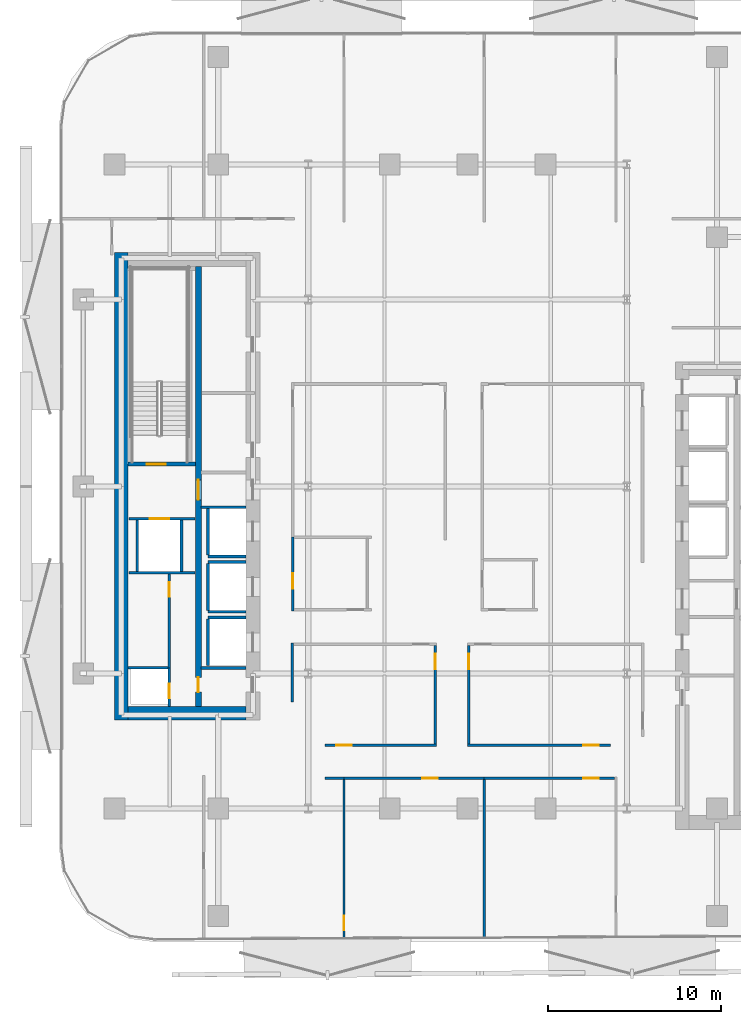
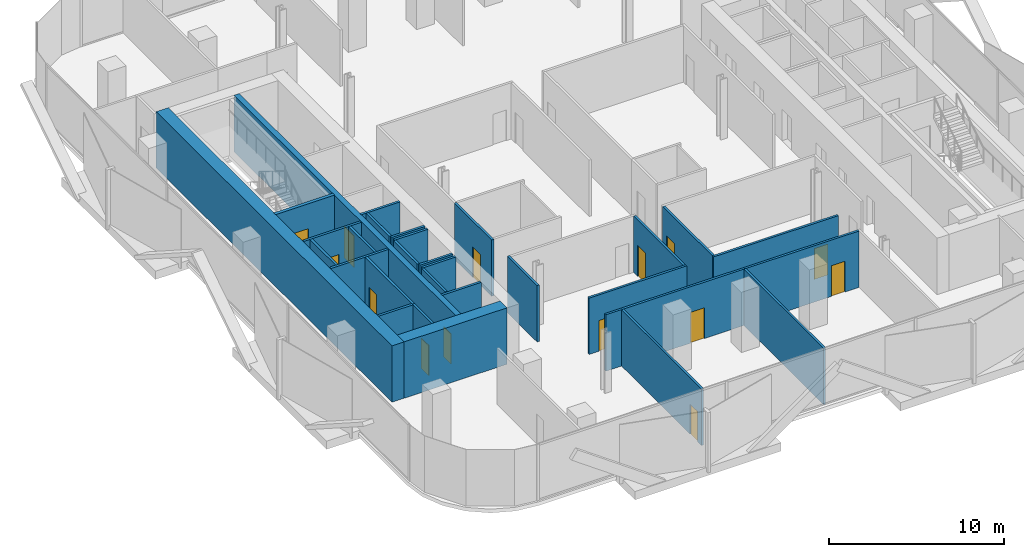
# One storey, part 3 of 16: 31 walls, 14 doors, 14 openings.
"""IFC4 building model written with IfcOpenShell, lengths in metres."""

from ifc_helpers import new_model, si_unit, direction, frame, frame_2d, origin, place, context, subcontext, project, spatial, rectangle, extrude, material, layer, layer_set, type_object, element, fill, save


model = new_model("IFC4")

# Units and contexts
model_context = context("Model", 3, precision=1e-05, world=origin(), true_north=direction((0.0, 1.0)))
body_context = subcontext(model_context, "Body", "Model", "MODEL_VIEW")
ifc_project = project(units=[si_unit("LENGTHUNIT", "METRE"), si_unit("AREAUNIT", "SQUARE_METRE"), si_unit("VOLUMEUNIT", "CUBIC_METRE"), si_unit("PLANEANGLEUNIT", "RADIAN"), si_unit("MASSUNIT", "GRAM", prefix="KILO")], contexts=[model_context])

# Site, building, storey
site_placement = place(None, origin())
site = spatial("IfcSite", under=ifc_project, at=site_placement, CompositionType="ELEMENT")
building_placement = place(site_placement, origin())
building = spatial("IfcBuilding", under=site, at=building_placement, Name="Khairoan Windgate Tower", CompositionType="ELEMENT")
storey_placement = place(building_placement, frame((0.0, 0.0, 139.39990234375)))
storey = spatial("IfcBuildingStorey", under=building, at=storey_placement, Name="L32", CompositionType="ELEMENT", Elevation=139.39990234375)

# Walls
ifc_material_1 = material(Name="Concrete C40/50", Category="concrete")
ifc_layer_1 = layer(ifc_material_1, 0.159912109375, Name="Concrete C40/50")
ifc_layer_set_1 = layer_set([ifc_layer_1], Name="Concrete C40/50")
wall_type_1 = type_object("IfcWallType", Name="Core and Hoistway Enclosure Wall", PredefinedType="STANDARD", material=ifc_layer_set_1)
wall_1_placement = place(storey_placement, frame((-14.989990234375, -4.0400390625, 0.0), z_axis=(0.0, 0.0, 1.0), x_axis=(1.0, 0.0, 0.0)))
element("IfcWall", 1, at=wall_1_placement, inside=storey, type_object=wall_type_1, Name="L32 Lift PL4 Hoistway Divider S", PredefinedType="STANDARD", context=body_context, shape_type="SweptSolid", body=[
    extrude(rectangle(XDim=2.18994140625, YDim=0.159912109375, at=frame_2d((1.094970703125, 0.0))), origin(), (0.0, 0.0, 1.0), 3.940185546875),
])
wall_2_placement = place(storey_placement, frame((-14.989990234375, -3.949951171875, 0.0), z_axis=(0.0, 0.0, 1.0), x_axis=(0.0, 1.0, 0.0)))
element("IfcWall", 2, at=wall_2_placement, inside=storey, type_object=wall_type_1, Name="L32 Lift PL4 Hoistway Back Wall", PredefinedType="STANDARD", context=body_context, shape_type="SweptSolid", body=[
    extrude(rectangle(XDim=2.699951171875, YDim=0.159912109375, at=frame_2d((1.35009765625, 0.0))), origin(), (0.0, 0.0, 1.0), 3.940185546875),
])
for number, where, z_axis, x_axis, name in (
    (3, (-14.989990234375, -7.239990234375, 0.0), (0.0, 0.0, 1.0), (1.0, 0.0, 0.0), "L32 Lift PL5 Hoistway Divider S"),
    (4, (-14.989990234375, -4.360107421875, 0.0), (0.0, 0.0, 1.0), (1.0, 0.0, 0.0), "L32 Lift PL5 Hoistway Divider N"),
):
    element("IfcWall", number, at=place(storey_placement, frame(where, z_axis=z_axis, x_axis=x_axis)), inside=storey, type_object=wall_type_1, Name=name, PredefinedType="STANDARD", context=body_context, shape_type="SweptSolid", body=[
        extrude(rectangle(XDim=2.18994140625, YDim=0.159912109375, at=frame_2d((1.094970703125, 0.0))), origin(), (0.0, 0.0, 1.0), 3.940185546875),
    ])
wall_3_placement = place(storey_placement, frame((-14.989990234375, -7.14990234375, 0.0), z_axis=(0.0, 0.0, 1.0), x_axis=(0.0, 1.0, 0.0)))
element("IfcWall", 5, at=wall_3_placement, inside=storey, type_object=wall_type_1, Name="L32 Lift PL5 Hoistway Back Wall", PredefinedType="STANDARD", context=body_context, shape_type="SweptSolid", body=[
    extrude(rectangle(XDim=2.699951171875, YDim=0.159912109375, at=frame_2d((1.35009765625, 0.0))), origin(), (0.0, 0.0, 1.0), 3.940185546875),
])
wall_4_placement = place(storey_placement, frame((-14.989990234375, -7.56005859375, 0.0), z_axis=(0.0, 0.0, 1.0), x_axis=(1.0, 0.0, 0.0)))
element("IfcWall", 6, at=wall_4_placement, inside=storey, type_object=wall_type_1, Name="L32 Lift PL6 Hoistway Divider N", PredefinedType="STANDARD", context=body_context, shape_type="SweptSolid", body=[
    extrude(rectangle(XDim=2.18994140625, YDim=0.159912109375, at=frame_2d((1.094970703125, 0.0))), origin(), (0.0, 0.0, 1.0), 3.940185546875),
])
wall_5_placement = place(storey_placement, frame((-14.989990234375, -10.35009765625, 0.0), z_axis=(0.0, 0.0, 1.0), x_axis=(0.0, 1.0, 0.0)))
element("IfcWall", 7, at=wall_5_placement, inside=storey, type_object=wall_type_1, Name="L32 Lift PL6 Hoistway Back Wall", PredefinedType="STANDARD", context=body_context, shape_type="SweptSolid", body=[
    extrude(rectangle(XDim=2.7001953125, YDim=0.159912109375, at=frame_2d((1.35009765625, 0.0))), origin(), (0.0, 0.0, 1.0), 3.940185546875),
])

# Wall, opening, door
wall_6_placement = place(storey_placement, frame((-19.550048828125, -1.860107421875, 0.0), z_axis=(0.0, 0.0, 1.0), x_axis=(1.0, 0.0, 0.0)))
wall_6 = element("IfcWall", 8, at=wall_6_placement, inside=storey, type_object=wall_type_1, Name="L32 Core Shaft Wall SW-FL2-L32", PredefinedType="STANDARD", context=body_context, shape_type="SweptSolid", body=[
    extrude(rectangle(XDim=3.800048828125, YDim=0.159912109375, at=frame_2d((1.89990234375, 0.0))), origin(), (0.0, 0.0, 1.0), 3.940185546875),
])
opening_1_placement = place(wall_6_placement, frame((1.179931640625, 0.0, 0.0)))
opening_1 = element("IfcOpeningElement", 9, at=opening_1_placement, cuts=wall_6, Name="Opening LD-FL", PredefinedType="OPENING", context=body_context, shape_type="SweptSolid", body=[
    extrude(rectangle(XDim=1.14990234375, YDim=2.199951171875, at=frame_2d((0.574951171875, 1.10009765625))), frame((0.0, 0.08984375, 0.0), z_axis=(0.0, -1.0, 0.0), x_axis=(1.0, 0.0, 0.0)), (0.0, 0.0, 1.0), 0.179931640625),
])
ifc_material_2 = material(Name="Steel S355", Category="steel")
door_type_1 = type_object("IfcDoorType", Name="Firefighting Lift Sliding Landing Door LD-FL 1150x2200", OperationType="DOUBLE_DOOR_SLIDING", PredefinedType="DOOR", material=ifc_material_2)
door_1_placement = place(opening_1_placement, origin())
door_1 = element("IfcDoor", 10, at=door_1_placement, inside=storey, type_object=door_type_1, Name="L32 Firefighting Lift FL2 Landing Door", OperationType="DOUBLE_DOOR_SLIDING", OverallHeight=2.199951171875, OverallWidth=1.14990234375, PredefinedType="DOOR", context=body_context, shape_type="SweptSolid", body=[
    extrude(rectangle(XDim=1.14990234375, YDim=2.199951171875, at=frame_2d((0.574951171875, 1.10009765625))), frame((0.0, 0.02490234375, 0.0), z_axis=(0.0, -1.0, 0.0), x_axis=(1.0, 0.0, 0.0)), (0.0, 0.0, 1.0), 0.050048828125),
])
fill(opening_1, door_1)

# Walls
wall_7_placement = place(storey_placement, frame((-19.550048828125, -4.97998046875, 0.0), z_axis=(0.0, 0.0, 1.0), x_axis=(1.0, 0.0, 0.0)))
element("IfcWall", 11, at=wall_7_placement, inside=storey, type_object=wall_type_1, Name="L32 Core Shaft Wall SW-FL2B-L32", PredefinedType="STANDARD", context=body_context, shape_type="SweptSolid", body=[
    extrude(rectangle(XDim=3.800048828125, YDim=0.159912109375, at=frame_2d((1.89990234375, 0.0))), origin(), (0.0, 0.0, 1.0), 3.940185546875),
])
for number, where, z_axis, x_axis, name in (
    (12, (-19.080078125, -4.89990234375, 0.0), (0.0, 0.0, 1.0), (0.0, 1.0, 0.0), "L32 Core Shaft Wall SW-FL2W-L32"),
    (13, (-16.52001953125, -4.89990234375, 0.0), (0.0, 0.0, 1.0), (0.0, 1.0, 0.0), "L32 Core Shaft Wall SW-FL2E-L32"),
):
    element("IfcWall", number, at=place(storey_placement, frame(where, z_axis=z_axis, x_axis=x_axis)), inside=storey, type_object=wall_type_1, Name=name, PredefinedType="STANDARD", context=body_context, shape_type="SweptSolid", body=[
        extrude(rectangle(XDim=2.9599609375, YDim=0.159912109375, at=frame_2d((1.47998046875, 0.0))), origin(), (0.0, 0.0, 1.0), 3.940185546875),
    ])
for number, where, z_axis, x_axis, name in (
    (14, (-15.39990234375, -1.199951171875, 0.0), (0.0, 0.0, 1.0), (1.0, 0.0, 0.0), "L32 Core Shaft Wall SW-WV2-L32"),
    (15, (-15.39990234375, -10.47998046875, 0.0), (0.0, 0.0, 1.0), (1.0, 0.0, 0.0), "L32 Core Shaft Wall SW-WSV-L32"),
):
    element("IfcWall", number, at=place(storey_placement, frame(where, z_axis=z_axis, x_axis=x_axis)), inside=storey, type_object=wall_type_1, Name=name, PredefinedType="STANDARD", context=body_context, shape_type="SweptSolid", body=[
        extrude(rectangle(XDim=2.599853515625, YDim=0.159912109375, at=frame_2d((1.2998046875, 0.0))), origin(), (0.0, 0.0, 1.0), 3.940185546875),
    ])

# Wall, opening, door
ifc_material_3 = material(Name="Acoustic Fire-Rated Gypsum Partition", Category="gypsum")
ifc_layer_2 = layer(ifc_material_3, 0.139892578125, Name="Acoustic Fire-Rated Gypsum Partition")
ifc_layer_set_2 = layer_set([ifc_layer_2], Name="Acoustic Fire-Rated Gypsum Partition")
wall_type_2 = type_object("IfcWallType", Name="Inter-Tenancy Compartment Wall", PredefinedType="PARTITIONING", material=ifc_layer_set_2)
wall_8_placement = place(storey_placement, frame((-7.139892578125, -26.101318359375, 0.0), z_axis=(0.0, 0.0, 1.0), x_axis=(0.0, 1.0, 0.0)))
wall_8 = element("IfcWall", 16, at=wall_8_placement, inside=storey, type_object=wall_type_2, Name="L32 Interior Partition 048", PredefinedType="PARTITIONING", context=body_context, shape_type="SweptSolid", body=[
    extrude(rectangle(XDim=9.166259765625, YDim=0.139892578125, at=frame_2d((4.5830078125, 0.0))), origin(), (0.0, 0.0, 1.0), 3.940185546875),
])
opening_2_placement = place(wall_8_placement, frame((0.4599609375, 0.0, 0.0)))
opening_2 = element("IfcOpeningElement", 17, at=opening_2_placement, cuts=wall_8, Name="Opening FD-SRV", PredefinedType="OPENING", context=body_context, shape_type="SweptSolid", body=[
    extrude(rectangle(XDim=0.85009765625, YDim=2.10009765625, at=frame_2d((0.425048828125, 1.050048828125))), frame((0.0, 0.079833984375, 0.0), z_axis=(0.0, -1.0, 0.0), x_axis=(1.0, 0.0, 0.0)), (0.0, 0.0, 1.0), 0.159912109375),
])
ifc_material_4 = material(Name="Steel S355", Category="steel")
door_type_2 = type_object("IfcDoorType", Name="Core Service and Riser Fire Door FD-SRV 850x2100", OperationType="NOTDEFINED", PredefinedType="DOOR", material=ifc_material_4)
door_2_placement = place(opening_2_placement, origin())
door_2 = element("IfcDoor", 18, at=door_2_placement, inside=storey, type_object=door_type_2, Name="L32 L32-47-L32-48 Door", OperationType="SINGLE_SWING_RIGHT", OverallHeight=2.10009765625, OverallWidth=0.85009765625, PredefinedType="DOOR", context=body_context, shape_type="SweptSolid", body=[
    extrude(rectangle(XDim=0.85009765625, YDim=2.10009765625, at=frame_2d((0.425048828125, 1.050048828125))), frame((0.0, 0.02490234375, 0.0), z_axis=(0.0, -1.0, 0.0), x_axis=(1.0, 0.0, 0.0)), (0.0, 0.0, 1.0), 0.050048828125),
])
fill(opening_2, door_2)

# Wall
wall_9_placement = place(storey_placement, frame((0.951904296875, -26.06201171875, 0.0), z_axis=(0.0, 0.0, 1.0), x_axis=(0.0, 1.0, 0.0)))
element("IfcWall", 19, at=wall_9_placement, inside=storey, type_object=wall_type_2, Name="L32 Interior Partition 049", PredefinedType="PARTITIONING", context=body_context, shape_type="SweptSolid", body=[
    extrude(rectangle(XDim=9.126953125, YDim=0.139892578125, at=frame_2d((4.5634765625, 0.0))), origin(), (0.0, 0.0, 1.0), 3.940185546875),
])

# Wall, opening, door
ifc_material_5 = material(Name="Concrete C40/50", Category="concrete")
ifc_layer_3 = layer(ifc_material_5, 0.159912109375, Name="Concrete C40/50")
ifc_layer_set_3 = layer_set([ifc_layer_3], Name="Concrete C40/50")
wall_type_3 = type_object("IfcWallType", Name="Plant and Refuge Compartment Wall", PredefinedType="PARTITIONING", material=ifc_layer_set_3)
wall_10_placement = place(storey_placement, frame((-17.22998046875, -12.699951171875, 0.0), z_axis=(0.0, 0.0, 1.0), x_axis=(0.0, 1.0, 0.0)))
wall_10 = element("IfcWall", 20, at=wall_10_placement, inside=storey, type_object=wall_type_3, Name="L32 Interior Partition 001", PredefinedType="PARTITIONING", context=body_context, shape_type="SweptSolid", body=[
    extrude(rectangle(XDim=2.22998046875, YDim=0.159912109375, at=frame_2d((1.114990234375, 0.0))), origin(), (0.0, 0.0, 1.0), 3.940185546875),
])
opening_3_placement = place(wall_10_placement, frame((0.4599609375, 0.0, 0.0)))
opening_3 = element("IfcOpeningElement", 21, at=opening_3_placement, cuts=wall_10, Name="Opening FD-SRV", PredefinedType="OPENING", context=body_context, shape_type="SweptSolid", body=[
    extrude(rectangle(XDim=0.85009765625, YDim=2.10009765625, at=frame_2d((0.425048828125, 1.050048828125))), frame((0.0, 0.08984375, 0.0), z_axis=(0.0, -1.0, 0.0), x_axis=(1.0, 0.0, 0.0)), (0.0, 0.0, 1.0), 0.179931640625),
])
door_3_placement = place(opening_3_placement, origin())
door_3 = element("IfcDoor", 22, at=door_3_placement, inside=storey, type_object=door_type_2, Name="L32 L32-04-L32-05 Door", OperationType="SINGLE_SWING_LEFT", OverallHeight=2.10009765625, OverallWidth=0.85009765625, PredefinedType="DOOR", context=body_context, shape_type="SweptSolid", body=[
    extrude(rectangle(XDim=0.85009765625, YDim=2.10009765625, at=frame_2d((0.425048828125, 1.050048828125))), frame((0.0, 0.02490234375, 0.0), z_axis=(0.0, -1.0, 0.0), x_axis=(1.0, 0.0, 0.0)), (0.0, 0.0, 1.0), 0.050048828125),
])
fill(opening_3, door_3)

wall_11_placement = place(storey_placement, frame((-17.22998046875, -10.469970703125, 0.0), z_axis=(0.0, 0.0, 1.0), x_axis=(0.0, 1.0, 0.0)))
wall_11 = element("IfcWall", 23, at=wall_11_placement, inside=storey, type_object=wall_type_3, Name="L32 Interior Partition 002", PredefinedType="PARTITIONING", context=body_context, shape_type="SweptSolid", body=[
    extrude(rectangle(XDim=5.409912109375, YDim=0.159912109375, at=frame_2d((2.705078125, 0.0))), origin(), (0.0, 0.0, 1.0), 3.940185546875),
])
opening_4_placement = place(wall_11_placement, frame((4.10009765625, 0.0, 0.0)))
opening_4 = element("IfcOpeningElement", 24, at=opening_4_placement, cuts=wall_11, Name="Opening FD-SRV", PredefinedType="OPENING", context=body_context, shape_type="SweptSolid", body=[
    extrude(rectangle(XDim=0.85009765625, YDim=2.10009765625, at=frame_2d((0.425048828125, 1.050048828125))), frame((0.0, 0.08984375, 0.0), z_axis=(0.0, -1.0, 0.0), x_axis=(1.0, 0.0, 0.0)), (0.0, 0.0, 1.0), 0.179931640625),
])
door_4_placement = place(opening_4_placement, origin())
door_4 = element("IfcDoor", 25, at=door_4_placement, inside=storey, type_object=door_type_2, Name="L32 L32-04-L32-06 Door", OperationType="SINGLE_SWING_RIGHT", OverallHeight=2.10009765625, OverallWidth=0.85009765625, PredefinedType="DOOR", context=body_context, shape_type="SweptSolid", body=[
    extrude(rectangle(XDim=0.85009765625, YDim=2.10009765625, at=frame_2d((0.425048828125, 1.050048828125))), frame((0.0, 0.02490234375, 0.0), z_axis=(0.0, -1.0, 0.0), x_axis=(1.0, 0.0, 0.0)), (0.0, 0.0, 1.0), 0.050048828125),
])
fill(opening_4, door_4)

# Wall
wall_12_placement = place(storey_placement, frame((-19.60009765625, -10.469970703125, 0.0), z_axis=(0.0, 0.0, 1.0), x_axis=(1.0, 0.0, 0.0)))
element("IfcWall", 26, at=wall_12_placement, inside=storey, type_object=wall_type_3, Name="L32 Interior Partition 003", PredefinedType="PARTITIONING", context=body_context, shape_type="SweptSolid", body=[
    extrude(rectangle(XDim=2.2900390625, YDim=0.159912109375, at=frame_2d((1.14501953125, 0.0))), origin(), (0.0, 0.0, 1.0), 3.940185546875),
])

# Wall, opening, door
ifc_material_6 = material(Name="Acoustic Fire-Rated Gypsum Partition", Category="gypsum")
ifc_layer_4 = layer(ifc_material_6, 0.14990234375, Name="Acoustic Fire-Rated Gypsum Partition")
ifc_layer_set_4 = layer_set([ifc_layer_4], Name="Acoustic Fire-Rated Gypsum Partition")
wall_type_4 = type_object("IfcWallType", Name="Rated Corridor Partition Wall", PredefinedType="PARTITIONING", material=ifc_layer_set_4)
wall_13_placement = place(storey_placement, frame((-10.10009765625, -7.195068359375, 0.0), z_axis=(0.0, 0.0, 1.0), x_axis=(0.0, 1.0, 0.0)))
wall_13 = element("IfcWall", 27, at=wall_13_placement, inside=storey, type_object=wall_type_4, Name="L32 Interior Partition 012", PredefinedType="PARTITIONING", context=body_context, shape_type="SweptSolid", body=[
    extrude(rectangle(XDim=4.275146484375, YDim=0.14990234375, at=frame_2d((2.1376953125, 0.0))), origin(), (0.0, 0.0, 1.0), 3.940185546875),
])
opening_5_placement = place(wall_13_placement, frame((1.2783203125, 0.0, 0.0)))
opening_5 = element("IfcOpeningElement", 28, at=opening_5_placement, cuts=wall_13, Name="Opening FD-ENT", PredefinedType="OPENING", context=body_context, shape_type="SweptSolid", body=[
    extrude(rectangle(XDim=0.89990234375, YDim=2.14990234375, at=frame_2d((0.449951171875, 1.074951171875))), frame((0.0, 0.0849609375, 0.0), z_axis=(0.0, -1.0, 0.0), x_axis=(1.0, 0.0, 0.0)), (0.0, 0.0, 1.0), 0.169921875),
])
ifc_material_7 = material(Name="Timber Fire-Rated Core", Category="wood")
door_type_3 = type_object("IfcDoorType", Name="Unit and Office Fire Entrance Door FD-ENT 900x2150", OperationType="NOTDEFINED", PredefinedType="DOOR", material=ifc_material_7)
door_5_placement = place(opening_5_placement, origin())
door_5 = element("IfcDoor", 29, at=door_5_placement, inside=storey, type_object=door_type_3, Name="L32 L32-28-L32-54 Door", OperationType="SINGLE_SWING_LEFT", OverallHeight=2.14990234375, OverallWidth=0.89990234375, PredefinedType="DOOR", context=body_context, shape_type="SweptSolid", body=[
    extrude(rectangle(XDim=0.89990234375, YDim=2.14990234375, at=frame_2d((0.449951171875, 1.074951171875))), frame((0.0, 0.02490234375, 0.0), z_axis=(0.0, -1.0, 0.0), x_axis=(1.0, 0.0, 0.0)), (0.0, 0.0, 1.0), 0.050048828125),
])
fill(opening_5, door_5)

# Walls
wall_14_placement = place(storey_placement, frame((-10.125, -12.43994140625, 0.0), z_axis=(0.0, 0.0, 1.0), x_axis=(0.0, 1.0, 0.0)))
element("IfcWall", 30, at=wall_14_placement, inside=storey, type_object=wall_type_4, Name="L32 Interior Partition 014", PredefinedType="PARTITIONING", context=body_context, shape_type="SweptSolid", body=[
    extrude(rectangle(XDim=3.39990234375, YDim=0.14990234375, at=frame_2d((1.699951171875, 0.0))), origin(), (0.0, 0.0, 1.0), 3.940185546875),
])
wall_15_placement = place(storey_placement, frame((-8.239990234375, -16.860107421875, 0.0), z_axis=(0.0, 0.0, 1.0), x_axis=(1.0, 0.0, 0.0)))
element("IfcWall", 31, at=wall_15_placement, inside=storey, type_object=wall_type_4, Name="L32 Interior Partition 031", PredefinedType="PARTITIONING", context=body_context, shape_type="SweptSolid", body=[
    extrude(rectangle(XDim=1.10009765625, YDim=0.14990234375, at=frame_2d((0.550048828125, 0.0))), origin(), (0.0, 0.0, 1.0), 3.940185546875),
])

# Wall, opening, door
wall_16_placement = place(storey_placement, frame((-7.139892578125, -16.860107421875, 0.0), z_axis=(0.0, 0.0, 1.0), x_axis=(1.0, 0.0, 0.0)))
wall_16 = element("IfcWall", 32, at=wall_16_placement, inside=storey, type_object=wall_type_4, Name="L32 Interior Partition 032", PredefinedType="PARTITIONING", context=body_context, shape_type="SweptSolid", body=[
    extrude(rectangle(XDim=8.091796875, YDim=0.14990234375, at=frame_2d((4.0458984375, 0.0))), origin(), (0.0, 0.0, 1.0), 3.940185546875),
])
opening_6_placement = place(wall_16_placement, frame((4.506591796875, 0.0, 0.0)))
opening_6 = element("IfcOpeningElement", 33, at=opening_6_placement, cuts=wall_16, Name="Opening FD-ENT", PredefinedType="OPENING", context=body_context, shape_type="SweptSolid", body=[
    extrude(rectangle(XDim=0.89990234375, YDim=2.14990234375, at=frame_2d((0.449951171875, 1.074951171875))), frame((0.0, 0.0849609375, 0.0), z_axis=(0.0, -1.0, 0.0), x_axis=(1.0, 0.0, 0.0)), (0.0, 0.0, 1.0), 0.169921875),
])
door_6_placement = place(opening_6_placement, origin())
door_6 = element("IfcDoor", 34, at=door_6_placement, inside=storey, type_object=door_type_3, Name="L32 L32-35-L32-48 Door", OperationType="SINGLE_SWING_LEFT", OverallHeight=2.14990234375, OverallWidth=0.89990234375, PredefinedType="DOOR", context=body_context, shape_type="SweptSolid", body=[
    extrude(rectangle(XDim=0.89990234375, YDim=2.14990234375, at=frame_2d((0.449951171875, 1.074951171875))), frame((0.0, 0.02490234375, 0.0), z_axis=(0.0, -1.0, 0.0), x_axis=(1.0, 0.0, 0.0)), (0.0, 0.0, 1.0), 0.050048828125),
])
fill(opening_6, door_6)

wall_17_placement = place(storey_placement, frame((0.951904296875, -16.860107421875, 0.0), z_axis=(0.0, 0.0, 1.0), x_axis=(1.0, 0.0, 0.0)))
wall_17 = element("IfcWall", 35, at=wall_17_placement, inside=storey, type_object=wall_type_4, Name="L32 Interior Partition 033", PredefinedType="PARTITIONING", context=body_context, shape_type="SweptSolid", body=[
    extrude(rectangle(XDim=7.546142578125, YDim=0.14990234375, at=frame_2d((3.77294921875, 0.0))), origin(), (0.0, 0.0, 1.0), 3.940185546875),
])
opening_7_placement = place(wall_17_placement, frame((5.7255859375, 0.0, 0.0)))
opening_7 = element("IfcOpeningElement", 36, at=opening_7_placement, cuts=wall_17, Name="Opening FD-ENT", PredefinedType="OPENING", context=body_context, shape_type="SweptSolid", body=[
    extrude(rectangle(XDim=0.89990234375, YDim=2.14990234375, at=frame_2d((0.449951171875, 1.074951171875))), frame((0.0, 0.0849609375, 0.0), z_axis=(0.0, -1.0, 0.0), x_axis=(1.0, 0.0, 0.0)), (0.0, 0.0, 1.0), 0.169921875),
])
door_7_placement = place(opening_7_placement, origin())
door_7 = element("IfcDoor", 37, at=door_7_placement, inside=storey, type_object=door_type_3, Name="L32 L32-35-L32-49 Door", OperationType="SINGLE_SWING_RIGHT", OverallHeight=2.14990234375, OverallWidth=0.89990234375, PredefinedType="DOOR", context=body_context, shape_type="SweptSolid", body=[
    extrude(rectangle(XDim=0.89990234375, YDim=2.14990234375, at=frame_2d((0.449951171875, 1.074951171875))), frame((0.0, 0.02490234375, 0.0), z_axis=(0.0, -1.0, 0.0), x_axis=(1.0, 0.0, 0.0)), (0.0, 0.0, 1.0), 0.050048828125),
])
fill(opening_7, door_7)

wall_18_placement = place(storey_placement, frame((-8.239990234375, -14.93994140625, 0.0), z_axis=(0.0, 0.0, 1.0), x_axis=(1.0, 0.0, 0.0)))
wall_18 = element("IfcWall", 38, at=wall_18_placement, inside=storey, type_object=wall_type_4, Name="L32 Interior Partition 034", PredefinedType="PARTITIONING", context=body_context, shape_type="SweptSolid", body=[
    extrude(rectangle(XDim=6.455078125, YDim=0.14990234375, at=frame_2d((3.2275390625, 0.0))), origin(), (0.0, 0.0, 1.0), 3.940185546875),
])
opening_8_placement = place(wall_18_placement, frame((0.66162109375, 0.0, 0.0)))
opening_8 = element("IfcOpeningElement", 39, at=opening_8_placement, cuts=wall_18, Name="Opening FD-ENT", PredefinedType="OPENING", context=body_context, shape_type="SweptSolid", body=[
    extrude(rectangle(XDim=0.89990234375, YDim=2.14990234375, at=frame_2d((0.449951171875, 1.074951171875))), frame((0.0, 0.0849609375, 0.0), z_axis=(0.0, -1.0, 0.0), x_axis=(1.0, 0.0, 0.0)), (0.0, 0.0, 1.0), 0.169921875),
])
door_8_placement = place(opening_8_placement, origin())
door_8 = element("IfcDoor", 40, at=door_8_placement, inside=storey, type_object=door_type_3, Name="L32 L32-35-L32-56 Door", OperationType="SINGLE_SWING_LEFT", OverallHeight=2.14990234375, OverallWidth=0.89990234375, PredefinedType="DOOR", context=body_context, shape_type="SweptSolid", body=[
    extrude(rectangle(XDim=0.89990234375, YDim=2.14990234375, at=frame_2d((0.449951171875, 1.074951171875))), frame((0.0, 0.02490234375, 0.0), z_axis=(0.0, -1.0, 0.0), x_axis=(1.0, 0.0, 0.0)), (0.0, 0.0, 1.0), 0.050048828125),
])
fill(opening_8, door_8)

wall_19_placement = place(storey_placement, frame((-0.014892578125, -14.93994140625, 0.0), z_axis=(0.0, 0.0, 1.0), x_axis=(1.0, 0.0, 0.0)))
wall_19 = element("IfcWall", 41, at=wall_19_placement, inside=storey, type_object=wall_type_4, Name="L32 Interior Partition 035", PredefinedType="PARTITIONING", context=body_context, shape_type="SweptSolid", body=[
    extrude(rectangle(XDim=8.2548828125, YDim=0.14990234375, at=frame_2d((4.12744140625, 0.0))), origin(), (0.0, 0.0, 1.0), 3.940185546875),
])
opening_9_placement = place(wall_19_placement, frame((6.69384765625, 0.0, 0.0)))
opening_9 = element("IfcOpeningElement", 42, at=opening_9_placement, cuts=wall_19, Name="Opening FD-ENT", PredefinedType="OPENING", context=body_context, shape_type="SweptSolid", body=[
    extrude(rectangle(XDim=0.89990234375, YDim=2.14990234375, at=frame_2d((0.449951171875, 1.074951171875))), frame((0.0, 0.0849609375, 0.0), z_axis=(0.0, -1.0, 0.0), x_axis=(1.0, 0.0, 0.0)), (0.0, 0.0, 1.0), 0.169921875),
])
door_9_placement = place(opening_9_placement, origin())
door_9 = element("IfcDoor", 43, at=door_9_placement, inside=storey, type_object=door_type_3, Name="L32 L32-35-L32-57 Door", OperationType="SINGLE_SWING_RIGHT", OverallHeight=2.14990234375, OverallWidth=0.89990234375, PredefinedType="DOOR", context=body_context, shape_type="SweptSolid", body=[
    extrude(rectangle(XDim=0.89990234375, YDim=2.14990234375, at=frame_2d((0.449951171875, 1.074951171875))), frame((0.0, 0.02490234375, 0.0), z_axis=(0.0, -1.0, 0.0), x_axis=(1.0, 0.0, 0.0)), (0.0, 0.0, 1.0), 0.050048828125),
])
fill(opening_9, door_9)

wall_20_placement = place(storey_placement, frame((-1.860107421875, -14.864990234375, 0.0), z_axis=(0.0, 0.0, 1.0), x_axis=(0.0, 1.0, 0.0)))
wall_20 = element("IfcWall", 44, at=wall_20_placement, inside=storey, type_object=wall_type_4, Name="L32 Interior Partition 036", PredefinedType="PARTITIONING", context=body_context, shape_type="SweptSolid", body=[
    extrude(rectangle(XDim=5.675048828125, YDim=0.14990234375, at=frame_2d((2.83740234375, 0.0))), origin(), (0.0, 0.0, 1.0), 3.940185546875),
])
opening_10_placement = place(wall_20_placement, frame((4.31494140625, 0.0, 0.0)))
opening_10 = element("IfcOpeningElement", 45, at=opening_10_placement, cuts=wall_20, Name="Opening FD-ENT", PredefinedType="OPENING", context=body_context, shape_type="SweptSolid", body=[
    extrude(rectangle(XDim=0.89990234375, YDim=2.14990234375, at=frame_2d((0.449951171875, 1.074951171875))), frame((0.0, 0.0849609375, 0.0), z_axis=(0.0, -1.0, 0.0), x_axis=(1.0, 0.0, 0.0)), (0.0, 0.0, 1.0), 0.169921875),
])
door_10_placement = place(opening_10_placement, origin())
door_10 = element("IfcDoor", 46, at=door_10_placement, inside=storey, type_object=door_type_3, Name="L32 L32-36-L32-56 Door", OperationType="SINGLE_SWING_LEFT", OverallHeight=2.14990234375, OverallWidth=0.89990234375, PredefinedType="DOOR", context=body_context, shape_type="SweptSolid", body=[
    extrude(rectangle(XDim=0.89990234375, YDim=2.14990234375, at=frame_2d((0.449951171875, 1.074951171875))), frame((0.0, 0.02490234375, 0.0), z_axis=(0.0, -1.0, 0.0), x_axis=(1.0, 0.0, 0.0)), (0.0, 0.0, 1.0), 0.050048828125),
])
fill(opening_10, door_10)

wall_21_placement = place(storey_placement, frame((0.06005859375, -14.864990234375, 0.0), z_axis=(0.0, 0.0, 1.0), x_axis=(0.0, 1.0, 0.0)))
wall_21 = element("IfcWall", 47, at=wall_21_placement, inside=storey, type_object=wall_type_4, Name="L32 Interior Partition 037", PredefinedType="PARTITIONING", context=body_context, shape_type="SweptSolid", body=[
    extrude(rectangle(XDim=5.675048828125, YDim=0.14990234375, at=frame_2d((2.83740234375, 0.0))), origin(), (0.0, 0.0, 1.0), 3.940185546875),
])
opening_11_placement = place(wall_21_placement, frame((4.31494140625, 0.0, 0.0)))
opening_11 = element("IfcOpeningElement", 48, at=opening_11_placement, cuts=wall_21, Name="Opening FD-ENT", PredefinedType="OPENING", context=body_context, shape_type="SweptSolid", body=[
    extrude(rectangle(XDim=0.89990234375, YDim=2.14990234375, at=frame_2d((0.449951171875, 1.074951171875))), frame((0.0, 0.0849609375, 0.0), z_axis=(0.0, -1.0, 0.0), x_axis=(1.0, 0.0, 0.0)), (0.0, 0.0, 1.0), 0.169921875),
])
door_11_placement = place(opening_11_placement, origin())
door_11 = element("IfcDoor", 49, at=door_11_placement, inside=storey, type_object=door_type_3, Name="L32 L32-36-L32-57 Door", OperationType="SINGLE_SWING_RIGHT", OverallHeight=2.14990234375, OverallWidth=0.89990234375, PredefinedType="DOOR", context=body_context, shape_type="SweptSolid", body=[
    extrude(rectangle(XDim=0.89990234375, YDim=2.14990234375, at=frame_2d((0.449951171875, 1.074951171875))), frame((0.0, 0.02490234375, 0.0), z_axis=(0.0, -1.0, 0.0), x_axis=(1.0, 0.0, 0.0)), (0.0, 0.0, 1.0), 0.050048828125),
])
fill(opening_11, door_11)

# Walls
ifc_material_8 = material(Name="Concrete C70/85", Category="concrete")
ifc_layer_5 = layer(ifc_material_8, 0.800048828125, Name="Concrete C70/85")
ifc_layer_set_5 = layer_set([ifc_layer_5], Name="Concrete C70/85")
wall_type_5 = type_object("IfcWallType", Name="Shear Wall CW-W1 800mm", PredefinedType="SHEAR", material=ifc_layer_set_5)
wall_22_placement = place(storey_placement, frame((-20.0, -13.5, 0.0), z_axis=(0.0, 0.0, 1.0), x_axis=(0.0, 1.0, 0.0)))
element("IfcWall", 50, at=wall_22_placement, inside=storey, type_object=wall_type_5, Name="W Core West Shear Wall L32", PredefinedType="SHEAR", context=body_context, shape_type="SweptSolid", body=[
    extrude(rectangle(XDim=27.0, YDim=0.800048828125, at=frame_2d((13.5, 0.0))), origin(), (0.0, 0.0, 1.0), 3.940185546875),
])
wall_23_placement = place(storey_placement, frame((-19.60009765625, -13.10009765625, 0.0), z_axis=(0.0, 0.0, 1.0), x_axis=(1.0, 0.0, 0.0)))
element("IfcWall", 51, at=wall_23_placement, inside=storey, type_object=wall_type_5, Name="W Core South Shear Wall L32", PredefinedType="SHEAR", context=body_context, shape_type="SweptSolid", body=[
    extrude(rectangle(XDim=6.800048828125, YDim=0.800048828125, at=frame_2d((3.39990234375, 0.0))), origin(), (0.0, 0.0, 1.0), 3.940185546875),
])

# Wall, openings, doors
ifc_material_9 = material(Name="Concrete C60/75", Category="concrete")
ifc_layer_6 = layer(ifc_material_9, 0.35009765625, Name="Concrete C60/75")
ifc_layer_set_6 = layer_set([ifc_layer_6], Name="Concrete C60/75")
wall_type_6 = type_object("IfcWallType", Name="Shear Wall SW-1 350mm", PredefinedType="SHEAR", material=ifc_layer_set_6)
wall_24_placement = place(storey_placement, frame((-15.550048828125, -12.699951171875, 0.0), z_axis=(0.0, 0.0, 1.0), x_axis=(0.0, 1.0, 0.0)))
wall_24 = element("IfcWall", 52, at=wall_24_placement, inside=storey, type_object=wall_type_6, Name="W Core Spine Shear Wall L32", PredefinedType="SHEAR", context=body_context, shape_type="SweptSolid", body=[
    extrude(rectangle(XDim=25.39990234375, YDim=0.35009765625, at=frame_2d((12.699951171875, 0.0))), origin(), (0.0, 0.0, 1.0), 3.940185546875),
])
opening_12_placement = place(wall_24_placement, frame((11.925048828125, 0.0, 0.0)))
opening_12 = element("IfcOpeningElement", 53, at=opening_12_placement, cuts=wall_24, Name="Opening FD-FFL", PredefinedType="OPENING", context=body_context, shape_type="SweptSolid", body=[
    extrude(rectangle(XDim=1.14990234375, YDim=2.199951171875, at=frame_2d((0.574951171875, 1.10009765625))), frame((0.0, 0.18505859375, 0.0), z_axis=(0.0, -1.0, 0.0), x_axis=(1.0, 0.0, 0.0)), (0.0, 0.0, 1.0), 0.3701171875),
])
opening_13_placement = place(wall_24_placement, frame((0.824951171875, 0.0, 0.0)))
opening_13 = element("IfcOpeningElement", 54, at=opening_13_placement, cuts=wall_24, Name="Opening FD-SRV", PredefinedType="OPENING", context=body_context, shape_type="SweptSolid", body=[
    extrude(rectangle(XDim=0.85009765625, YDim=2.10009765625, at=frame_2d((0.425048828125, 1.050048828125))), frame((0.0, 0.18505859375, 0.0), z_axis=(0.0, -1.0, 0.0), x_axis=(1.0, 0.0, 0.0)), (0.0, 0.0, 1.0), 0.3701171875),
])
door_12_placement = place(opening_13_placement, origin())
door_12 = element("IfcDoor", 55, at=door_12_placement, inside=storey, type_object=door_type_2, Name="L32 West Core Service Passage Inner Door", OperationType="SINGLE_SWING_RIGHT", OverallHeight=2.10009765625, OverallWidth=0.85009765625, PredefinedType="DOOR", context=body_context, shape_type="SweptSolid", body=[
    extrude(rectangle(XDim=0.85009765625, YDim=2.10009765625, at=frame_2d((0.425048828125, 1.050048828125))), frame((0.0, 0.02490234375, 0.0), z_axis=(0.0, -1.0, 0.0), x_axis=(1.0, 0.0, 0.0)), (0.0, 0.0, 1.0), 0.050048828125),
])
fill(opening_13, door_12)
ifc_material_10 = material(Name="Steel S355", Category="steel")
door_type_4 = type_object("IfcDoorType", Name="Firefighting Lobby Fire Door FD-FFL 1150x2200", OperationType="NOTDEFINED", PredefinedType="DOOR", material=ifc_material_10)
door_13_placement = place(opening_12_placement, origin())
door_13 = element("IfcDoor", 56, at=door_13_placement, inside=storey, type_object=door_type_4, Name="L32 West Firefighting Lobby Fire Door", OperationType="SINGLE_SWING_RIGHT", OverallHeight=2.199951171875, OverallWidth=1.14990234375, PredefinedType="DOOR", context=body_context, shape_type="SweptSolid", body=[
    extrude(rectangle(XDim=1.14990234375, YDim=2.199951171875, at=frame_2d((0.574951171875, 1.10009765625))), frame((0.0, 0.02490234375, 0.0), z_axis=(0.0, -1.0, 0.0), x_axis=(1.0, 0.0, 0.0)), (0.0, 0.0, 1.0), 0.050048828125),
])
fill(opening_12, door_13)

# Wall, opening, door
ifc_material_11 = material(Name="Concrete C50/60", Category="concrete")
ifc_layer_7 = layer(ifc_material_11, 0.219970703125, Name="Concrete C50/60")
ifc_layer_set_7 = layer_set([ifc_layer_7], Name="Concrete C50/60")
wall_type_7 = type_object("IfcWallType", Name="Shear Wall SW-ST 220mm", PredefinedType="SHEAR", material=ifc_layer_set_7)
wall_25_placement = place(storey_placement, frame((-19.6201171875, 1.2900390625, 0.0), z_axis=(0.0, 0.0, 1.0), x_axis=(1.0, 0.0, 0.0)))
wall_25 = element("IfcWall", 57, at=wall_25_placement, inside=storey, type_object=wall_type_7, Name="L32 Stair ST2 South Bearing Wall", PredefinedType="SHEAR", context=body_context, shape_type="SweptSolid", body=[
    extrude(rectangle(XDim=3.9150390625, YDim=0.219970703125, at=frame_2d((1.95751953125, 0.0))), origin(), (0.0, 0.0, 1.0), 3.940185546875),
])
opening_14_placement = place(wall_25_placement, frame((1.080078125, 0.0, 0.0)))
opening_14 = element("IfcOpeningElement", 58, at=opening_14_placement, cuts=wall_25, Name="Opening FD-ST", PredefinedType="OPENING", context=body_context, shape_type="SweptSolid", body=[
    extrude(rectangle(XDim=1.10009765625, YDim=2.199951171875, at=frame_2d((0.550048828125, 1.10009765625))), frame((0.0, 0.119873046875, 0.0), z_axis=(0.0, -1.0, 0.0), x_axis=(1.0, 0.0, 0.0)), (0.0, 0.0, 1.0), 0.239990234375),
])
ifc_material_12 = material(Name="Steel S355", Category="steel")
door_type_5 = type_object("IfcDoorType", Name="Smokeproof Stair Fire Door FD-ST 1100x2200", OperationType="NOTDEFINED", PredefinedType="DOOR", material=ifc_material_12)
door_14_placement = place(opening_14_placement, origin())
door_14 = element("IfcDoor", 59, at=door_14_placement, inside=storey, type_object=door_type_5, Name="L32 Stair ST2 Fire Door", OperationType="SINGLE_SWING_RIGHT", OverallHeight=2.199951171875, OverallWidth=1.10009765625, PredefinedType="DOOR", context=body_context, shape_type="SweptSolid", body=[
    extrude(rectangle(XDim=1.10009765625, YDim=2.199951171875, at=frame_2d((0.550048828125, 1.10009765625))), frame((0.0, 0.02490234375, 0.0), z_axis=(0.0, -1.0, 0.0), x_axis=(1.0, 0.0, 0.0)), (0.0, 0.0, 1.0), 0.050048828125),
])
fill(opening_14, door_14)

save(model, "model.ifc")
